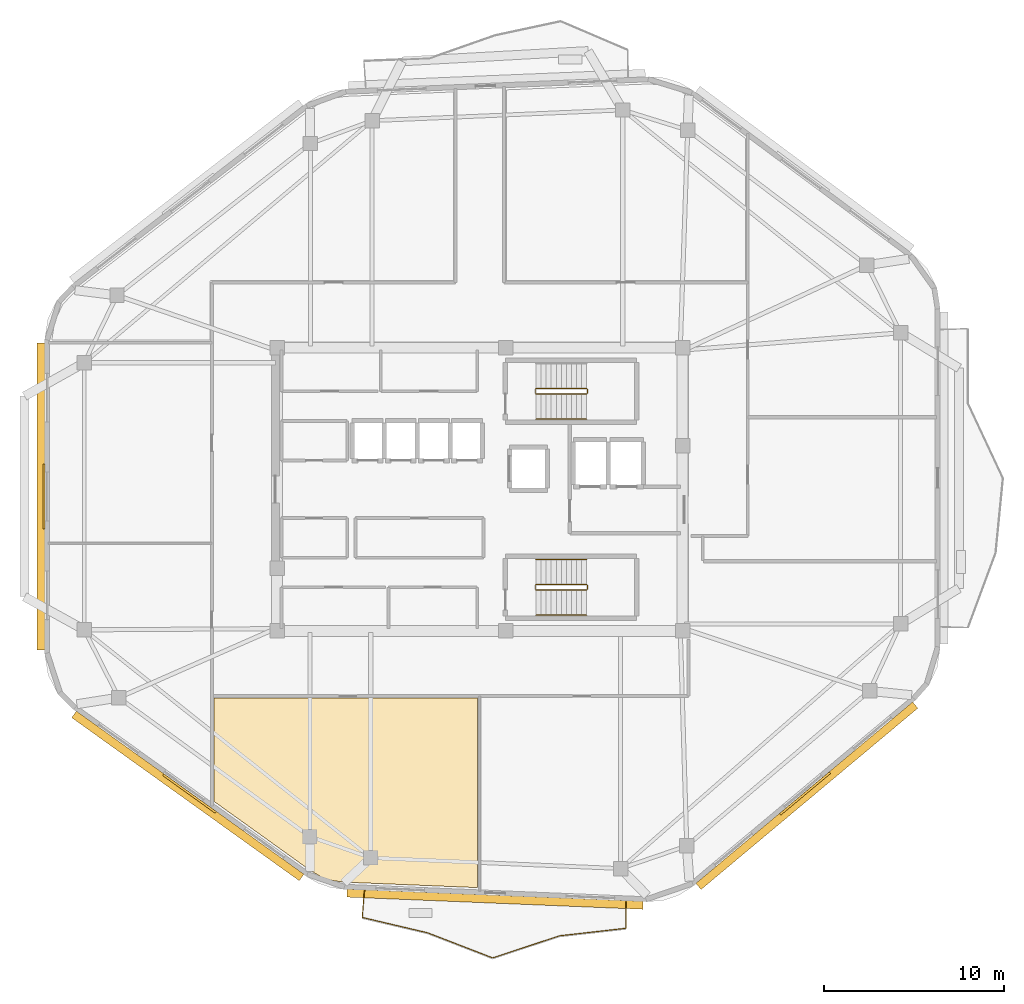
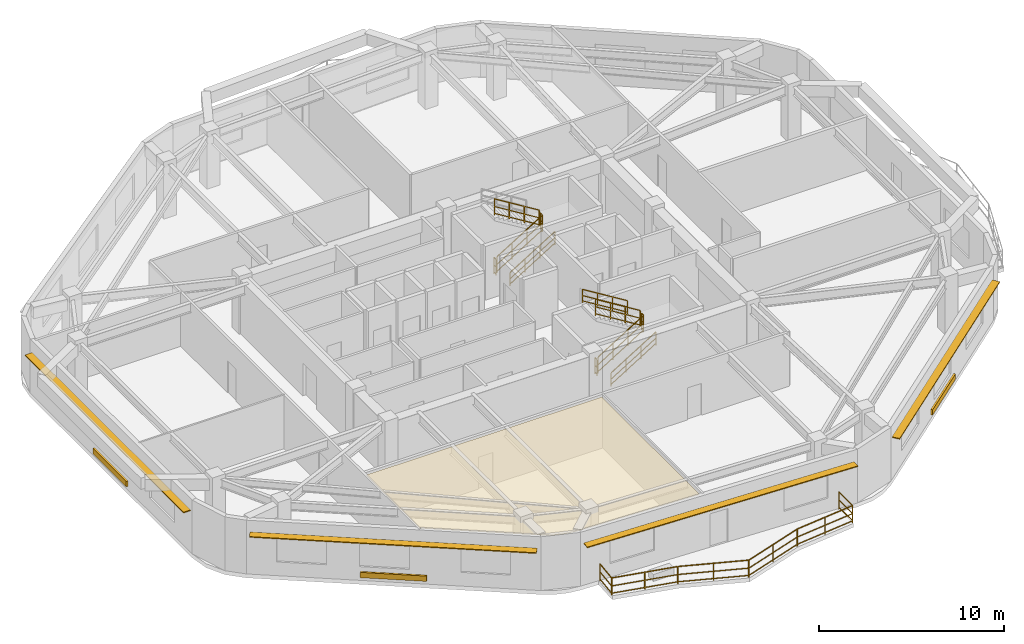
# One storey, part 7 of 8: 17 railings, 7 shading devices, 1 covering.
"""IFC4 building model written with IfcOpenShell, lengths in metres."""

from ifc_helpers import new_model, si_unit, direction, frame, origin, origin_2d, place, context, subcontext, project, spatial, polyline, rectangle, outline, extrude, material, layer, layer_set, type_object, element, save


model = new_model("IFC4")

# Units and contexts
model_context = context("Model", 3, precision=1e-05, world=origin(), true_north=direction((0.0, 1.0)))
body_context = subcontext(model_context, "Body", "Model", "MODEL_VIEW")
ifc_project = project(units=[si_unit("LENGTHUNIT", "METRE"), si_unit("AREAUNIT", "SQUARE_METRE"), si_unit("VOLUMEUNIT", "CUBIC_METRE"), si_unit("PLANEANGLEUNIT", "RADIAN"), si_unit("MASSUNIT", "GRAM", prefix="KILO")], contexts=[model_context])

# Site, building, storey
site_placement = place(None, origin())
site = spatial("IfcSite", under=ifc_project, at=site_placement, CompositionType="ELEMENT")
building_placement = place(site_placement, origin())
building = spatial("IfcBuilding", under=site, at=building_placement, Name="Zulverin Broadcast Headquarters", CompositionType="ELEMENT")
storey_placement = place(building_placement, frame((0.0, 0.0, 297.199951171875)))
storey = spatial("IfcBuildingStorey", under=building, at=storey_placement, Name="L76", CompositionType="ELEMENT", Elevation=297.199951171875)

# Covering
ifc_material_1 = material(Name="Perforated pale-metal acoustic baffle ceiling", Category="aluminium")
ifc_layer_1 = layer(ifc_material_1, 0.0400390625, Name="Perforated pale-metal acoustic baffle ceiling", Category="aluminium")
ifc_layer_set_1 = layer_set([ifc_layer_1], Name="Perforated pale-metal acoustic baffle ceiling")
covering_type = type_object("IfcCoveringType", Name="COV-CEIL-ACOU", PredefinedType="CEILING", material=ifc_layer_set_1)
covering_placement = place(storey_placement, frame((0.0, 0.0, 3.360107421875)))
element("IfcCovering", 1, at=covering_placement, inside=storey, type_object=covering_type, Name="L76 Acoustic Baffle Ceiling 03", PredefinedType="CEILING", context=body_context, shape_type="SweptSolid", body=[
    extrude(outline(polyline([(28.1640625, 3.656005859375), (28.7880859375, 3.444091796875), (29.4599609375, 3.35205078125), (36.8798828125, 3.048095703125), (36.8798828125, 13.580078125), (22.219970703125, 13.580078125), (22.219970703125, 7.840087890625), (27.580078125, 3.99609375), (28.1640625, 3.656005859375)])), origin(), (0.0, 0.0, 1.0), 0.0400390625),
])

# Railings
ifc_material_2 = material(Name="Brushed stainless steel & laminated glass balustrade", Category="steel")
railing_type_1 = type_object("IfcRailingType", Name="RL-GUARD-1150", PredefinedType="GUARDRAIL", material=ifc_material_2)
railing_1_placement = place(storey_placement, frame((30.580078125, 2.86572265625, 0.0)))
element("IfcRailing", 2, at=railing_1_placement, inside=storey, type_object=railing_type_1, Name="L76 Vertical-Forest Balcony Guardrail BAL_S Segment 01", PredefinedType="GUARDRAIL", context=body_context, shape_type="SweptSolid", body=[
    extrude(rectangle(XDim=0.048095703125, YDim=0.048095703125, at=origin_2d()), frame((0.0, 0.0, 1.1259765625), z_axis=(-0.08159832835, -0.996665296281, 0.0), x_axis=(0.996665296281, -0.08159832835, 0.0)), (0.0, 0.0, 1.0), 1.466064453125),
    extrude(rectangle(XDim=0.0419921875, YDim=0.0419921875, at=origin_2d()), frame((0.0, 0.0, 0.597900390625), z_axis=(-0.08159832835, -0.996665296281, 0.0), x_axis=(0.996665296281, -0.08159832835, 0.0)), (0.0, 0.0, 1.0), 1.466064453125),
    extrude(rectangle(XDim=0.0419921875, YDim=0.0419921875, at=origin_2d()), frame((0.0, 0.0, 0.1201171875), z_axis=(-0.08159832835, -0.996665296281, 0.0), x_axis=(0.996665296281, -0.08159832835, 0.0)), (0.0, 0.0, 1.0), 1.466064453125),
    extrude(rectangle(XDim=0.0419921875, YDim=0.0419921875, at=origin_2d()), origin(), (0.0, 0.0, 1.0), 1.101806640625),
    extrude(rectangle(XDim=0.0419921875, YDim=0.0419921875, at=origin_2d()), frame((-0.11962890625, -1.461181640625, 0.0)), (0.0, 0.0, 1.0), 1.101806640625),
])
railing_2_placement = place(storey_placement, frame((30.473876953125, 1.385986328125, 0.0)))
element("IfcRailing", 3, at=railing_2_placement, inside=storey, type_object=railing_type_1, Name="L76 Vertical-Forest Balcony Guardrail BAL_S Segment 02", PredefinedType="GUARDRAIL", context=body_context, shape_type="SweptSolid", body=[
    extrude(rectangle(XDim=0.048095703125, YDim=0.048095703125, at=origin_2d()), frame((0.0, 0.0, 1.1259765625), z_axis=(0.973478471368, -0.228778639265, 0.0), x_axis=(0.228778639265, 0.973478471368, 0.0)), (0.0, 0.0, 1.0), 3.706298828125),
    extrude(rectangle(XDim=0.0419921875, YDim=0.0419921875, at=origin_2d()), frame((0.0, 0.0, 0.597900390625), z_axis=(0.973478471368, -0.228778639265, 0.0), x_axis=(0.228778639265, 0.973478471368, 0.0)), (0.0, 0.0, 1.0), 3.706298828125),
    extrude(rectangle(XDim=0.0419921875, YDim=0.0419921875, at=origin_2d()), frame((0.0, 0.0, 0.1201171875), z_axis=(0.973478471368, -0.228778639265, 0.0), x_axis=(0.228778639265, 0.973478471368, 0.0)), (0.0, 0.0, 1.0), 3.706298828125),
    extrude(rectangle(XDim=0.0419921875, YDim=0.0419921875, at=origin_2d()), origin(), (0.0, 0.0, 1.0), 1.101806640625),
    extrude(rectangle(XDim=0.0419921875, YDim=0.0419921875, at=origin_2d()), frame((1.803955078125, -0.423828125, 0.0)), (0.0, 0.0, 1.0), 1.101806640625),
    extrude(rectangle(XDim=0.0419921875, YDim=0.0419921875, at=origin_2d()), frame((3.60791015625, -0.847900390625, 0.0)), (0.0, 0.0, 1.0), 1.101806640625),
])
railing_3_placement = place(storey_placement, frame((34.1103515625, 0.529296875, 0.0)))
element("IfcRailing", 4, at=railing_3_placement, inside=storey, type_object=railing_type_1, Name="L76 Vertical-Forest Balcony Guardrail BAL_S Segment 03", PredefinedType="GUARDRAIL", context=body_context, shape_type="SweptSolid", body=[
    extrude(rectangle(XDim=0.048095703125, YDim=0.048095703125, at=origin_2d()), frame((0.0, 0.0, 1.1259765625), z_axis=(0.932927620965, -0.360063958265, 0.0), x_axis=(0.360063958265, 0.932927620965, 0.0)), (0.0, 0.0, 1.0), 3.844482421875),
    extrude(rectangle(XDim=0.0419921875, YDim=0.0419921875, at=origin_2d()), frame((0.0, 0.0, 0.597900390625), z_axis=(0.932927620965, -0.360063958265, 0.0), x_axis=(0.360063958265, 0.932927620965, 0.0)), (0.0, 0.0, 1.0), 3.844482421875),
    extrude(rectangle(XDim=0.0419921875, YDim=0.0419921875, at=origin_2d()), frame((0.0, 0.0, 0.1201171875), z_axis=(0.932927620965, -0.360063958265, 0.0), x_axis=(0.360063958265, 0.932927620965, 0.0)), (0.0, 0.0, 1.0), 3.844482421875),
    extrude(rectangle(XDim=0.0419921875, YDim=0.0419921875, at=origin_2d()), origin(), (0.0, 0.0, 1.0), 1.101806640625),
    extrude(rectangle(XDim=0.0419921875, YDim=0.0419921875, at=origin_2d()), frame((1.79345703125, -0.692138671875, 0.0)), (0.0, 0.0, 1.0), 1.101806640625),
    extrude(rectangle(XDim=0.0419921875, YDim=0.0419921875, at=origin_2d()), frame((3.586669921875, -1.38427734375, 0.0)), (0.0, 0.0, 1.0), 1.101806640625),
])
railing_4_placement = place(storey_placement, frame((37.72509765625, -0.855712890625, 0.0)))
element("IfcRailing", 5, at=railing_4_placement, inside=storey, type_object=railing_type_1, Name="L76 Vertical-Forest Balcony Guardrail BAL_S Segment 04", PredefinedType="GUARDRAIL", context=body_context, shape_type="SweptSolid", body=[
    extrude(rectangle(XDim=0.048095703125, YDim=0.048095703125, at=origin_2d()), frame((0.0, 0.0, 1.1259765625), z_axis=(0.949639107133, 0.313345761427, 0.0), x_axis=(-0.313345761427, 0.949639107133, 0.0)), (0.0, 0.0, 1.0), 3.89013671875),
    extrude(rectangle(XDim=0.0419921875, YDim=0.0419921875, at=origin_2d()), frame((0.0, 0.0, 0.597900390625), z_axis=(0.949639107133, 0.313345761427, 0.0), x_axis=(-0.313345761427, 0.949639107133, 0.0)), (0.0, 0.0, 1.0), 3.89013671875),
    extrude(rectangle(XDim=0.0419921875, YDim=0.0419921875, at=origin_2d()), frame((0.0, 0.0, 0.1201171875), z_axis=(0.949639107133, 0.313345761427, 0.0), x_axis=(-0.313345761427, 0.949639107133, 0.0)), (0.0, 0.0, 1.0), 3.89013671875),
    extrude(rectangle(XDim=0.0419921875, YDim=0.0419921875, at=origin_2d()), origin(), (0.0, 0.0, 1.0), 1.101806640625),
    extrude(rectangle(XDim=0.0419921875, YDim=0.0419921875, at=origin_2d()), frame((1.84716796875, 0.609375, 0.0)), (0.0, 0.0, 1.0), 1.101806640625),
    extrude(rectangle(XDim=0.0419921875, YDim=0.0419921875, at=origin_2d()), frame((3.6943359375, 1.218994140625, 0.0)), (0.0, 0.0, 1.0), 1.101806640625),
])
railing_5_placement = place(storey_placement, frame((41.448486328125, 0.36962890625, 0.0)))
element("IfcRailing", 6, at=railing_5_placement, inside=storey, type_object=railing_type_1, Name="L76 Vertical-Forest Balcony Guardrail BAL_S Segment 05", PredefinedType="GUARDRAIL", context=body_context, shape_type="SweptSolid", body=[
    extrude(rectangle(XDim=0.048095703125, YDim=0.048095703125, at=origin_2d()), frame((0.0, 0.0, 1.1259765625), z_axis=(0.993623157346, 0.112752034066, 0.0), x_axis=(-0.112752034066, 0.993623157346, 0.0)), (0.0, 0.0, 1.0), 3.68310546875),
    extrude(rectangle(XDim=0.0419921875, YDim=0.0419921875, at=origin_2d()), frame((0.0, 0.0, 0.597900390625), z_axis=(0.993623157346, 0.112752034066, 0.0), x_axis=(-0.112752034066, 0.993623157346, 0.0)), (0.0, 0.0, 1.0), 3.68310546875),
    extrude(rectangle(XDim=0.0419921875, YDim=0.0419921875, at=origin_2d()), frame((0.0, 0.0, 0.1201171875), z_axis=(0.993623157346, 0.112752034066, 0.0), x_axis=(-0.112752034066, 0.993623157346, 0.0)), (0.0, 0.0, 1.0), 3.68310546875),
    extrude(rectangle(XDim=0.0419921875, YDim=0.0419921875, at=origin_2d()), origin(), (0.0, 0.0, 1.0), 1.101806640625),
    extrude(rectangle(XDim=0.0419921875, YDim=0.0419921875, at=origin_2d()), frame((1.829833984375, 0.20751953125, 0.0)), (0.0, 0.0, 1.0), 1.101806640625),
    extrude(rectangle(XDim=0.0419921875, YDim=0.0419921875, at=origin_2d()), frame((3.65966796875, 0.415283203125, 0.0)), (0.0, 0.0, 1.0), 1.101806640625),
])
railing_6_placement = place(storey_placement, frame((45.123046875, 0.8017578125, 0.0)))
element("IfcRailing", 7, at=railing_6_placement, inside=storey, type_object=railing_type_1, Name="L76 Vertical-Forest Balcony Guardrail BAL_S Segment 06", PredefinedType="GUARDRAIL", context=body_context, shape_type="SweptSolid", body=[
    extrude(rectangle(XDim=0.048095703125, YDim=0.048095703125, at=origin_2d()), frame((0.0, 0.0, 1.1259765625), z_axis=(0.000499500437, 0.99999987525, 0.0), x_axis=(-0.99999987525, 0.000499500437, 0.0)), (0.0, 0.0, 1.0), 1.46630859375),
    extrude(rectangle(XDim=0.0419921875, YDim=0.0419921875, at=origin_2d()), frame((0.0, 0.0, 0.597900390625), z_axis=(0.000499500437, 0.99999987525, 0.0), x_axis=(-0.99999987525, 0.000499500437, 0.0)), (0.0, 0.0, 1.0), 1.46630859375),
    extrude(rectangle(XDim=0.0419921875, YDim=0.0419921875, at=origin_2d()), frame((0.0, 0.0, 0.1201171875), z_axis=(0.000499500437, 0.99999987525, 0.0), x_axis=(-0.99999987525, 0.000499500437, 0.0)), (0.0, 0.0, 1.0), 1.46630859375),
    extrude(rectangle(XDim=0.0419921875, YDim=0.0419921875, at=origin_2d()), origin(), (0.0, 0.0, 1.0), 1.101806640625),
    extrude(rectangle(XDim=0.0419921875, YDim=0.0419921875, at=origin_2d()), frame((0.000732421875, 1.46630859375, 0.0)), (0.0, 0.0, 1.0), 1.101806640625),
])
ifc_material_3 = material(Name="Painted galvanized steel tubular guardrail S355JR", Category="steel")
railing_type_2 = type_object("IfcRailingType", Name="RL-ST-GUARD", PredefinedType="GUARDRAIL", material=ifc_material_3)
railing_7_placement = place(storey_placement, frame((40.1298828125, 30.5, 0.1728515625)))
element("IfcRailing", 8, at=railing_7_placement, inside=storey, type_object=railing_type_2, Name="L76 ST-1 stair guard 1", PredefinedType="GUARDRAIL", context=body_context, shape_type="SweptSolid", body=[
    extrude(rectangle(XDim=0.048095703125, YDim=0.048095703125, at=origin_2d()), frame((0.0, 0.0, 1.076171875), z_axis=(0.851089632645, 0.0, 0.525020415988), x_axis=(0.0, 1.0, 0.0)), (0.0, 0.0, 1.0), 3.2900390625),
    extrude(rectangle(XDim=0.0419921875, YDim=0.0419921875, at=origin_2d()), frame((0.0, 0.0, 0.572021484375), z_axis=(0.851089632645, 0.0, 0.525020415988), x_axis=(0.0, 1.0, 0.0)), (0.0, 0.0, 1.0), 3.2900390625),
    extrude(rectangle(XDim=0.0419921875, YDim=0.0419921875, at=origin_2d()), frame((0.0, 0.0, 0.1201171875), z_axis=(0.851089632645, 0.0, 0.525020415988), x_axis=(0.0, 1.0, 0.0)), (0.0, 0.0, 1.0), 3.2900390625),
    extrude(rectangle(XDim=0.0419921875, YDim=0.0419921875, at=origin_2d()), origin(), (0.0, 0.0, 1.0), 1.052001953125),
    extrude(rectangle(XDim=0.0419921875, YDim=0.0419921875, at=origin_2d()), frame((0.933349609375, 0.0, 0.57568359375)), (0.0, 0.0, 1.0), 1.052001953125),
    extrude(rectangle(XDim=0.0419921875, YDim=0.0419921875, at=origin_2d()), frame((1.86669921875, 0.0, 1.151611328125)), (0.0, 0.0, 1.0), 1.052001953125),
    extrude(rectangle(XDim=0.0419921875, YDim=0.0419921875, at=origin_2d()), frame((2.800048828125, 0.0, 1.727294921875)), (0.0, 0.0, 1.0), 1.052001953125),
])
railing_8_placement = place(storey_placement, frame((42.97998046875, 30.550048828125, 1.900146484375)))
element("IfcRailing", 9, at=railing_8_placement, inside=storey, type_object=railing_type_2, Name="L76 ST-1 stair guard 2", PredefinedType="GUARDRAIL", context=body_context, shape_type="SweptSolid", body=[
    extrude(rectangle(XDim=0.048095703125, YDim=0.048095703125, at=origin_2d()), frame((0.0, 0.0, 1.076171875), z_axis=(0.0, 1.0, 0.0), x_axis=(-1.0, 0.0, 0.0)), (0.0, 0.0, 1.0), 0.199951171875),
    extrude(rectangle(XDim=0.0419921875, YDim=0.0419921875, at=origin_2d()), frame((0.0, 0.0, 0.572021484375), z_axis=(0.0, 1.0, 0.0), x_axis=(-1.0, 0.0, 0.0)), (0.0, 0.0, 1.0), 0.199951171875),
    extrude(rectangle(XDim=0.0419921875, YDim=0.0419921875, at=origin_2d()), frame((0.0, 0.0, 0.1201171875), z_axis=(0.0, 1.0, 0.0), x_axis=(-1.0, 0.0, 0.0)), (0.0, 0.0, 1.0), 0.199951171875),
    extrude(rectangle(XDim=0.0419921875, YDim=0.0419921875, at=origin_2d()), origin(), (0.0, 0.0, 1.0), 1.052001953125),
    extrude(rectangle(XDim=0.0419921875, YDim=0.0419921875, at=origin_2d()), frame((0.0, 0.199951171875, 0.0)), (0.0, 0.0, 1.0), 1.052001953125),
])
railing_9_placement = place(storey_placement, frame((42.929931640625, 30.800048828125, 2.07275390625)))
element("IfcRailing", 10, at=railing_9_placement, inside=storey, type_object=railing_type_2, Name="L76 ST-1 stair guard 3", PredefinedType="GUARDRAIL", context=body_context, shape_type="SweptSolid", body=[
    extrude(rectangle(XDim=0.048095703125, YDim=0.048095703125, at=origin_2d()), frame((0.0, 0.0, 1.076171875), z_axis=(-0.851089632645, 0.0, 0.525020415988), x_axis=(0.0, -1.0, 0.0)), (0.0, 0.0, 1.0), 3.2900390625),
    extrude(rectangle(XDim=0.0419921875, YDim=0.0419921875, at=origin_2d()), frame((0.0, 0.0, 0.572021484375), z_axis=(-0.851089632645, 0.0, 0.525020415988), x_axis=(0.0, -1.0, 0.0)), (0.0, 0.0, 1.0), 3.2900390625),
    extrude(rectangle(XDim=0.0419921875, YDim=0.0419921875, at=origin_2d()), frame((0.0, 0.0, 0.1201171875), z_axis=(-0.851089632645, 0.0, 0.525020415988), x_axis=(0.0, -1.0, 0.0)), (0.0, 0.0, 1.0), 3.2900390625),
    extrude(rectangle(XDim=0.0419921875, YDim=0.0419921875, at=origin_2d()), origin(), (0.0, 0.0, 1.0), 1.052001953125),
    extrude(rectangle(XDim=0.0419921875, YDim=0.0419921875, at=origin_2d()), frame((-0.933349609375, 0.0, 0.57568359375)), (0.0, 0.0, 1.0), 1.052001953125),
    extrude(rectangle(XDim=0.0419921875, YDim=0.0419921875, at=origin_2d()), frame((-1.86669921875, 0.0, 1.151611328125)), (0.0, 0.0, 1.0), 1.052001953125),
    extrude(rectangle(XDim=0.0419921875, YDim=0.0419921875, at=origin_2d()), frame((-2.800048828125, 0.0, 1.727294921875)), (0.0, 0.0, 1.0), 1.052001953125),
])
railing_10_placement = place(storey_placement, frame((40.080078125, 30.550048828125, 0.0)))
element("IfcRailing", 11, at=railing_10_placement, inside=storey, type_object=railing_type_2, Name="L76 ST-1 stair guard 4", PredefinedType="GUARDRAIL", context=body_context, shape_type="SweptSolid", body=[
    extrude(rectangle(XDim=0.048095703125, YDim=0.048095703125, at=origin_2d()), frame((0.0, 0.0, 1.076171875), z_axis=(0.0, 1.0, 0.0), x_axis=(-1.0, 0.0, 0.0)), (0.0, 0.0, 1.0), 0.199951171875),
    extrude(rectangle(XDim=0.0419921875, YDim=0.0419921875, at=origin_2d()), frame((0.0, 0.0, 0.572021484375), z_axis=(0.0, 1.0, 0.0), x_axis=(-1.0, 0.0, 0.0)), (0.0, 0.0, 1.0), 0.199951171875),
    extrude(rectangle(XDim=0.0419921875, YDim=0.0419921875, at=origin_2d()), frame((0.0, 0.0, 0.1201171875), z_axis=(0.0, 1.0, 0.0), x_axis=(-1.0, 0.0, 0.0)), (0.0, 0.0, 1.0), 0.199951171875),
    extrude(rectangle(XDim=0.0419921875, YDim=0.0419921875, at=origin_2d()), origin(), (0.0, 0.0, 1.0), 1.052001953125),
    extrude(rectangle(XDim=0.0419921875, YDim=0.0419921875, at=origin_2d()), frame((0.0, 0.199951171875, 0.0)), (0.0, 0.0, 1.0), 1.052001953125),
])
railing_11_placement = place(storey_placement, frame((40.1298828125, 19.60009765625, 0.1728515625)))
element("IfcRailing", 12, at=railing_11_placement, inside=storey, type_object=railing_type_2, Name="L76 ST-2 stair guard 1", PredefinedType="GUARDRAIL", context=body_context, shape_type="SweptSolid", body=[
    extrude(rectangle(XDim=0.048095703125, YDim=0.048095703125, at=origin_2d()), frame((0.0, 0.0, 1.076171875), z_axis=(0.851089632645, 0.0, 0.525020415988), x_axis=(0.0, 1.0, 0.0)), (0.0, 0.0, 1.0), 3.2900390625),
    extrude(rectangle(XDim=0.0419921875, YDim=0.0419921875, at=origin_2d()), frame((0.0, 0.0, 0.572021484375), z_axis=(0.851089632645, 0.0, 0.525020415988), x_axis=(0.0, 1.0, 0.0)), (0.0, 0.0, 1.0), 3.2900390625),
    extrude(rectangle(XDim=0.0419921875, YDim=0.0419921875, at=origin_2d()), frame((0.0, 0.0, 0.1201171875), z_axis=(0.851089632645, 0.0, 0.525020415988), x_axis=(0.0, 1.0, 0.0)), (0.0, 0.0, 1.0), 3.2900390625),
    extrude(rectangle(XDim=0.0419921875, YDim=0.0419921875, at=origin_2d()), origin(), (0.0, 0.0, 1.0), 1.052001953125),
    extrude(rectangle(XDim=0.0419921875, YDim=0.0419921875, at=origin_2d()), frame((0.933349609375, 0.0, 0.57568359375)), (0.0, 0.0, 1.0), 1.052001953125),
    extrude(rectangle(XDim=0.0419921875, YDim=0.0419921875, at=origin_2d()), frame((1.86669921875, 0.0, 1.151611328125)), (0.0, 0.0, 1.0), 1.052001953125),
    extrude(rectangle(XDim=0.0419921875, YDim=0.0419921875, at=origin_2d()), frame((2.800048828125, 0.0, 1.727294921875)), (0.0, 0.0, 1.0), 1.052001953125),
])
railing_12_placement = place(storey_placement, frame((42.97998046875, 19.64990234375, 1.900146484375)))
element("IfcRailing", 13, at=railing_12_placement, inside=storey, type_object=railing_type_2, Name="L76 ST-2 stair guard 2", PredefinedType="GUARDRAIL", context=body_context, shape_type="SweptSolid", body=[
    extrude(rectangle(XDim=0.048095703125, YDim=0.048095703125, at=origin_2d()), frame((0.0, 0.0, 1.076171875), z_axis=(0.0, 1.0, 0.0), x_axis=(-1.0, 0.0, 0.0)), (0.0, 0.0, 1.0), 0.2001953125),
    extrude(rectangle(XDim=0.0419921875, YDim=0.0419921875, at=origin_2d()), frame((0.0, 0.0, 0.572021484375), z_axis=(0.0, 1.0, 0.0), x_axis=(-1.0, 0.0, 0.0)), (0.0, 0.0, 1.0), 0.2001953125),
    extrude(rectangle(XDim=0.0419921875, YDim=0.0419921875, at=origin_2d()), frame((0.0, 0.0, 0.1201171875), z_axis=(0.0, 1.0, 0.0), x_axis=(-1.0, 0.0, 0.0)), (0.0, 0.0, 1.0), 0.2001953125),
    extrude(rectangle(XDim=0.0419921875, YDim=0.0419921875, at=origin_2d()), origin(), (0.0, 0.0, 1.0), 1.052001953125),
    extrude(rectangle(XDim=0.0419921875, YDim=0.0419921875, at=origin_2d()), frame((0.0, 0.2001953125, 0.0)), (0.0, 0.0, 1.0), 1.052001953125),
])
railing_13_placement = place(storey_placement, frame((42.929931640625, 19.89990234375, 2.07275390625)))
element("IfcRailing", 14, at=railing_13_placement, inside=storey, type_object=railing_type_2, Name="L76 ST-2 stair guard 3", PredefinedType="GUARDRAIL", context=body_context, shape_type="SweptSolid", body=[
    extrude(rectangle(XDim=0.048095703125, YDim=0.048095703125, at=origin_2d()), frame((0.0, 0.0, 1.076171875), z_axis=(-0.851089632645, 0.0, 0.525020415988), x_axis=(0.0, -1.0, 0.0)), (0.0, 0.0, 1.0), 3.2900390625),
    extrude(rectangle(XDim=0.0419921875, YDim=0.0419921875, at=origin_2d()), frame((0.0, 0.0, 0.572021484375), z_axis=(-0.851089632645, 0.0, 0.525020415988), x_axis=(0.0, -1.0, 0.0)), (0.0, 0.0, 1.0), 3.2900390625),
    extrude(rectangle(XDim=0.0419921875, YDim=0.0419921875, at=origin_2d()), frame((0.0, 0.0, 0.1201171875), z_axis=(-0.851089632645, 0.0, 0.525020415988), x_axis=(0.0, -1.0, 0.0)), (0.0, 0.0, 1.0), 3.2900390625),
    extrude(rectangle(XDim=0.0419921875, YDim=0.0419921875, at=origin_2d()), origin(), (0.0, 0.0, 1.0), 1.052001953125),
    extrude(rectangle(XDim=0.0419921875, YDim=0.0419921875, at=origin_2d()), frame((-0.933349609375, 0.0, 0.57568359375)), (0.0, 0.0, 1.0), 1.052001953125),
    extrude(rectangle(XDim=0.0419921875, YDim=0.0419921875, at=origin_2d()), frame((-1.86669921875, 0.0, 1.151611328125)), (0.0, 0.0, 1.0), 1.052001953125),
    extrude(rectangle(XDim=0.0419921875, YDim=0.0419921875, at=origin_2d()), frame((-2.800048828125, 0.0, 1.727294921875)), (0.0, 0.0, 1.0), 1.052001953125),
])
railing_14_placement = place(storey_placement, frame((40.080078125, 19.64990234375, 0.0)))
element("IfcRailing", 15, at=railing_14_placement, inside=storey, type_object=railing_type_2, Name="L76 ST-2 stair guard 4", PredefinedType="GUARDRAIL", context=body_context, shape_type="SweptSolid", body=[
    extrude(rectangle(XDim=0.048095703125, YDim=0.048095703125, at=origin_2d()), frame((0.0, 0.0, 1.076171875), z_axis=(0.0, 1.0, 0.0), x_axis=(-1.0, 0.0, 0.0)), (0.0, 0.0, 1.0), 0.2001953125),
    extrude(rectangle(XDim=0.0419921875, YDim=0.0419921875, at=origin_2d()), frame((0.0, 0.0, 0.572021484375), z_axis=(0.0, 1.0, 0.0), x_axis=(-1.0, 0.0, 0.0)), (0.0, 0.0, 1.0), 0.2001953125),
    extrude(rectangle(XDim=0.0419921875, YDim=0.0419921875, at=origin_2d()), frame((0.0, 0.0, 0.1201171875), z_axis=(0.0, 1.0, 0.0), x_axis=(-1.0, 0.0, 0.0)), (0.0, 0.0, 1.0), 0.2001953125),
    extrude(rectangle(XDim=0.0419921875, YDim=0.0419921875, at=origin_2d()), origin(), (0.0, 0.0, 1.0), 1.052001953125),
    extrude(rectangle(XDim=0.0419921875, YDim=0.0419921875, at=origin_2d()), frame((0.0, 0.2001953125, 0.0)), (0.0, 0.0, 1.0), 1.052001953125),
])
ifc_material_4 = material(Name="Brushed stainless steel 48 mm handrail", Category="steel")
railing_type_3 = type_object("IfcRailingType", Name="RL-ST-HAND", PredefinedType="HANDRAIL", material=ifc_material_4)
for number, where, name in (
    (16, (40.1298828125, 29.10009765625, 0.1728515625), "L76 ST-1 stair handrail 1"),
    (17, (40.1298828125, 18.199951171875, 0.1728515625), "L76 ST-2 stair handrail 1"),
):
    element("IfcRailing", number, at=place(storey_placement, frame(where)), inside=storey, type_object=railing_type_3, Name=name, PredefinedType="HANDRAIL", context=body_context, shape_type="SweptSolid", body=[
        extrude(rectangle(XDim=0.048095703125, YDim=0.048095703125, at=origin_2d()), frame((0.0, 0.0, 0.8759765625), z_axis=(0.851089632645, 0.0, 0.525020415988), x_axis=(0.0, 1.0, 0.0)), (0.0, 0.0, 1.0), 3.2900390625),
        extrude(rectangle(XDim=0.0419921875, YDim=0.0419921875, at=origin_2d()), frame((0.0, 0.0, 0.468017578125), z_axis=(0.851089632645, 0.0, 0.525020415988), x_axis=(0.0, 1.0, 0.0)), (0.0, 0.0, 1.0), 3.2900390625),
        extrude(rectangle(XDim=0.0419921875, YDim=0.0419921875, at=origin_2d()), frame((0.0, 0.0, 0.1201171875), z_axis=(0.851089632645, 0.0, 0.525020415988), x_axis=(0.0, 1.0, 0.0)), (0.0, 0.0, 1.0), 3.2900390625),
        extrude(rectangle(XDim=0.0419921875, YDim=0.0419921875, at=origin_2d()), origin(), (0.0, 0.0, 1.0), 0.851806640625),
        extrude(rectangle(XDim=0.0419921875, YDim=0.0419921875, at=origin_2d()), frame((0.933349609375, 0.0, 0.57568359375)), (0.0, 0.0, 1.0), 0.851806640625),
        extrude(rectangle(XDim=0.0419921875, YDim=0.0419921875, at=origin_2d()), frame((1.86669921875, 0.0, 1.151611328125)), (0.0, 0.0, 1.0), 0.851806640625),
        extrude(rectangle(XDim=0.0419921875, YDim=0.0419921875, at=origin_2d()), frame((2.800048828125, 0.0, 1.727294921875)), (0.0, 0.0, 1.0), 0.851806640625),
    ])
railing_15_placement = place(storey_placement, frame((42.929931640625, 21.300048828125, 2.07275390625)))
element("IfcRailing", 18, at=railing_15_placement, inside=storey, type_object=railing_type_3, Name="L76 ST-2 stair handrail 2", PredefinedType="HANDRAIL", context=body_context, shape_type="SweptSolid", body=[
    extrude(rectangle(XDim=0.048095703125, YDim=0.048095703125, at=origin_2d()), frame((0.0, 0.0, 0.8759765625), z_axis=(-0.851089632645, 0.0, 0.525020415988), x_axis=(0.0, -1.0, 0.0)), (0.0, 0.0, 1.0), 3.2900390625),
    extrude(rectangle(XDim=0.0419921875, YDim=0.0419921875, at=origin_2d()), frame((0.0, 0.0, 0.468017578125), z_axis=(-0.851089632645, 0.0, 0.525020415988), x_axis=(0.0, -1.0, 0.0)), (0.0, 0.0, 1.0), 3.2900390625),
    extrude(rectangle(XDim=0.0419921875, YDim=0.0419921875, at=origin_2d()), frame((0.0, 0.0, 0.1201171875), z_axis=(-0.851089632645, 0.0, 0.525020415988), x_axis=(0.0, -1.0, 0.0)), (0.0, 0.0, 1.0), 3.2900390625),
    extrude(rectangle(XDim=0.0419921875, YDim=0.0419921875, at=origin_2d()), origin(), (0.0, 0.0, 1.0), 0.851806640625),
    extrude(rectangle(XDim=0.0419921875, YDim=0.0419921875, at=origin_2d()), frame((-0.933349609375, 0.0, 0.57568359375)), (0.0, 0.0, 1.0), 0.851806640625),
    extrude(rectangle(XDim=0.0419921875, YDim=0.0419921875, at=origin_2d()), frame((-1.86669921875, 0.0, 1.151611328125)), (0.0, 0.0, 1.0), 0.851806640625),
    extrude(rectangle(XDim=0.0419921875, YDim=0.0419921875, at=origin_2d()), frame((-2.800048828125, 0.0, 1.727294921875)), (0.0, 0.0, 1.0), 0.851806640625),
])

# Shading devices
ifc_material_5 = material(Name="Anodized pale-metal aluminium acoustic louvre", Category="aluminium")
shading_device_type_1 = type_object("IfcShadingDeviceType", Name="SHD-LOUVRE-350", PredefinedType="USERDEFINED", material=ifc_material_5)
for number, where, z_axis, x_axis, name in (
    (19, (55.083984375, 8.281005859375, 0.2451171875), (0.0, 0.0, 1.0), (0.76703526936, 0.641604937292, 0.0), "L76 Spandrel Intake Louvre 2"),
    (20, (12.760009765625, 24.7998046875, 0.2451171875), (0.0, 0.0, 1.0), (0.0, -1.0, 0.0), "L76 Spandrel Intake Louvre 7"),
    (21, (20.852294921875, 8.27978515625, 0.2451171875), (0.0, 0.0, 1.0), (0.812809068128, -0.582530187002, 0.0), "L76 Spandrel Intake Louvre 8"),
):
    element("IfcShadingDevice", number, at=place(storey_placement, frame(where, z_axis=z_axis, x_axis=x_axis)), inside=storey, type_object=shading_device_type_1, Name=name, ObjectType="LOUVRE", PredefinedType="USERDEFINED", context=body_context, shape_type="SweptSolid", body=[
        extrude(rectangle(XDim=3.60009765625, YDim=0.1201171875, at=origin_2d()), origin(), (0.0, 0.0, 1.0), 0.35009765625),
    ])
ifc_material_6 = material(Name="Anodized pale-metal aluminium sunshade", Category="aluminium")
ifc_layer_2 = layer(ifc_material_6, 0.06005859375, Name="Anodized pale-metal aluminium sunshade", Category="aluminium")
ifc_layer_set_2 = layer_set([ifc_layer_2], Name="Anodized pale-metal aluminium sunshade")
shading_device_type_2 = type_object("IfcShadingDeviceType", Name="SS-01_PALE_METAL_ALUMINIUM_SUNSHADE", PredefinedType="USERDEFINED", material=ifc_layer_set_2)
shading_device_1_placement = place(storey_placement, frame((37.84521484375, 2.406982421875, 2.7099609375), z_axis=(0.0, 0.0, 1.0), x_axis=(0.99915627139, -0.041070005388, 0.0)))
element("IfcShadingDevice", 22, at=shading_device_1_placement, inside=storey, type_object=shading_device_type_2, Name="L76 Horizontal Pale-Metal Sunshade Band 1", ObjectType="SUNSHADE", PredefinedType="USERDEFINED", context=body_context, shape_type="SweptSolid", body=[
    extrude(rectangle(XDim=16.47607421875, YDim=0.449951171875, at=origin_2d()), origin(), (0.0, 0.0, 1.0), 0.06005859375),
])
shading_device_2_placement = place(storey_placement, frame((55.186767578125, 8.158203125, 2.7099609375), z_axis=(0.0, 0.0, 1.0), x_axis=(0.76703526936, 0.641604937292, 0.0)))
element("IfcShadingDevice", 23, at=shading_device_2_placement, inside=storey, type_object=shading_device_type_2, Name="L76 Horizontal Pale-Metal Sunshade Band 2", ObjectType="SUNSHADE", PredefinedType="USERDEFINED", context=body_context, shape_type="SweptSolid", body=[
    extrude(rectangle(XDim=15.71337890625, YDim=0.449951171875, at=origin_2d()), origin(), (0.0, 0.0, 1.0), 0.06005859375),
])
shading_device_3_placement = place(storey_placement, frame((12.60009765625, 24.7998046875, 2.7099609375), z_axis=(0.0, 0.0, 1.0), x_axis=(0.0, -1.0, 0.0)))
element("IfcShadingDevice", 24, at=shading_device_3_placement, inside=storey, type_object=shading_device_type_2, Name="L76 Horizontal Pale-Metal Sunshade Band 7", ObjectType="SUNSHADE", PredefinedType="USERDEFINED", context=body_context, shape_type="SweptSolid", body=[
    extrude(rectangle(XDim=17.09619140625, YDim=0.449951171875, at=origin_2d()), origin(), (0.0, 0.0, 1.0), 0.06005859375),
])
shading_device_4_placement = place(storey_placement, frame((20.75927734375, 8.149658203125, 2.7099609375), z_axis=(0.0, 0.0, 1.0), x_axis=(0.812809068128, -0.582530187002, 0.0)))
element("IfcShadingDevice", 25, at=shading_device_4_placement, inside=storey, type_object=shading_device_type_2, Name="L76 Horizontal Pale-Metal Sunshade Band 8", ObjectType="SUNSHADE", PredefinedType="USERDEFINED", context=body_context, shape_type="SweptSolid", body=[
    extrude(rectangle(XDim=15.567626953125, YDim=0.449951171875, at=origin_2d()), origin(), (0.0, 0.0, 1.0), 0.06005859375),
])

save(model, "model.ifc")
